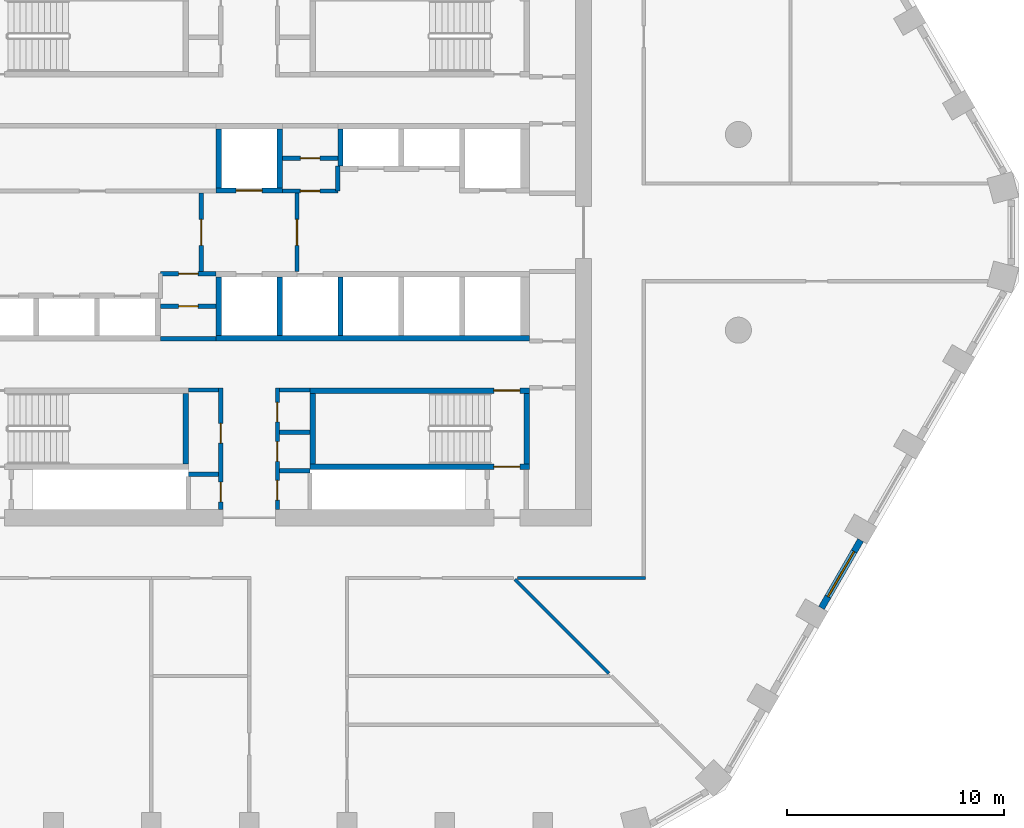
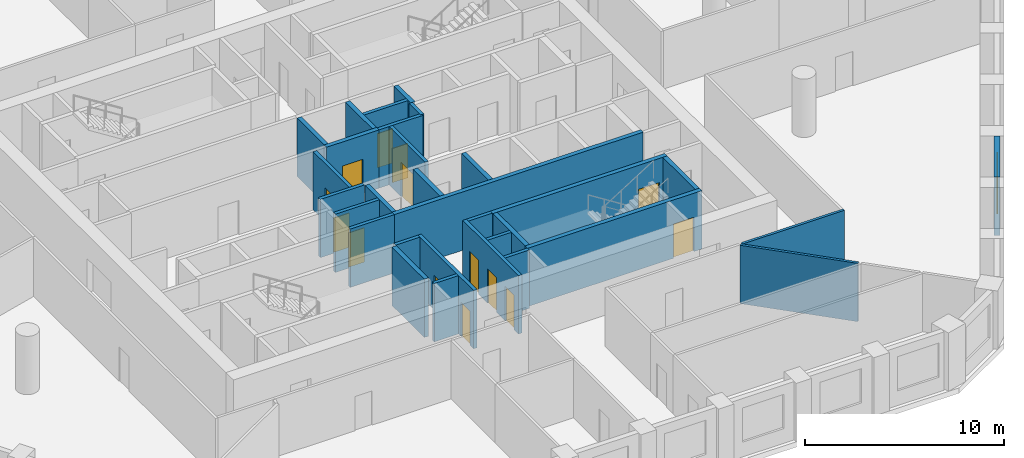
# One storey, part 4 of 9: 31 walls, 14 doors, 1 window, 15 openings.
"""IFC4 building model written with IfcOpenShell, lengths in metres."""

import ifcopenshell
import ifcopenshell.guid

model = None  # the IFC model being written
_history = None  # IfcOwnerHistory: only IFC2X3 demands one
_inside = {}  # id of a spatial element -> (the spatial element, [elements in it])
_under = {}  # id of a project, library or spatial element -> (it, [spatial elements below it])
_declared = {}  # id of a project -> (the project, [libraries it declares])
_typed = {}  # id of a type object -> (the type object, [elements of that type])
_made_of = {}  # id of a material, layer set ... -> (it, [elements and type objects made of it])


def new_model(schema):
    """Start an empty IFC model of exactly this schema.

    Asked for "IFC4X3", IfcOpenShell would pick the latest addendum, in which some entities
    have other attributes; the version numbers below select the first issue.
    IFC2X3 requires an IfcOwnerHistory on every rooted entity: one is made here for all.
    """
    global model, _history
    if schema == "IFC4X3":
        model = ifcopenshell.file(schema_version=(4, 3, 0, 0))
    else:
        model = ifcopenshell.file(schema=schema)
    _inside.clear()
    _under.clear()
    _declared.clear()
    _typed.clear()
    _made_of.clear()
    _history = None
    if model.schema == "IFC2X3":
        org = make("IfcOrganization", Name="unknown")
        user = make(
            "IfcPersonAndOrganization",
            ThePerson=make("IfcPerson", FamilyName="unknown"),
            TheOrganization=org,
        )
        app = make(
            "IfcApplication",
            ApplicationDeveloper=org,
            Version="unknown",
            ApplicationFullName="unknown",
            ApplicationIdentifier="unknown",
        )
        _history = make(
            "IfcOwnerHistory",
            OwningUser=user,
            OwningApplication=app,
            ChangeAction="ADDED",
            CreationDate=0,
        )
    return model


def make(cls, **values):
    """One entity of the class cls with the attributes given. An attribute that is None is left unset."""
    return model.create_entity(
        cls, **{name: value for name, value in values.items() if value is not None}
    )


def rooted(cls, **values):
    """An entity with a GlobalId (a new one), such as an element, a storey or a relation."""
    return make(cls, GlobalId=ifcopenshell.guid.new(), OwnerHistory=_history, **values)


def si_unit(unit_type, name, prefix=None):
    """IfcSIUnit, for example si_unit("LENGTHUNIT", "METRE", prefix="MILLI")."""
    return make("IfcSIUnit", UnitType=unit_type, Prefix=prefix, Name=name)


def assignment(units):
    """IfcUnitAssignment: the units of a project."""
    return None if units is None else make("IfcUnitAssignment", Units=units)


def point(xyz):
    """IfcCartesianPoint."""
    return None if xyz is None else make("IfcCartesianPoint", Coordinates=xyz)


def direction(xyz):
    """IfcDirection."""
    return None if xyz is None else make("IfcDirection", DirectionRatios=xyz)


def frame(location, z_axis=None, x_axis=None):
    """IfcAxis2Placement3D, a coordinate frame: its origin and axes. An axis left out is left unset."""
    return make(
        "IfcAxis2Placement3D",
        Location=point(location),
        Axis=direction(z_axis),
        RefDirection=direction(x_axis),
    )


def frame_2d(location, x_axis=None):
    """IfcAxis2Placement2D, a coordinate frame in the plane: its origin and x axis."""
    return make(
        "IfcAxis2Placement2D", Location=point(location), RefDirection=direction(x_axis)
    )


def origin():
    """The frame at (0, 0, 0) with its axes left unset."""
    return frame((0.0, 0.0, 0.0))


def place(relative_to, where):
    """IfcLocalPlacement: puts the frame where relative to a parent placement (None: the world)."""
    return make(
        "IfcLocalPlacement", PlacementRelTo=relative_to, RelativePlacement=where
    )


def context(
    kind, dimensions, precision=None, world=None, true_north=None, identifier=None
):
    """IfcGeometricRepresentationContext, for example the 3D "Model" context."""
    return make(
        "IfcGeometricRepresentationContext",
        ContextIdentifier=identifier,
        ContextType=kind,
        CoordinateSpaceDimension=dimensions,
        Precision=precision,
        WorldCoordinateSystem=world,
        TrueNorth=true_north,
    )


def subcontext(parent, identifier, kind, view, scale=None):
    """IfcGeometricRepresentationSubContext, for example "Body" below "Model"."""
    return make(
        "IfcGeometricRepresentationSubContext",
        ContextIdentifier=identifier,
        ContextType=kind,
        ParentContext=parent,
        TargetScale=scale,
        TargetView=view,
    )


def project(units=None, contexts=None):
    """IfcProject with its units and contexts."""
    return rooted(
        "IfcProject",
        Name="project",
        RepresentationContexts=contexts,
        UnitsInContext=assignment(units),
    )


def spatial(cls, under=None, at=None, **own):
    """A site, building, storey or space (cls), placed at a placement, below another one or the project."""
    s = rooted(cls, ObjectPlacement=at, **own)
    if under is not None:
        _under.setdefault(under.id(), (under, []))[1].append(s)
    return s


def polyline(points):
    """IfcPolyline through the points."""
    return make("IfcPolyline", Points=[point(p) for p in points])


def profile(cls, at=None, kind="AREA", **sizes):
    """A parametric profile (cls). Its sizes go by their IFC names, for example OverallWidth=200.0."""
    return make(cls, ProfileType=kind, Position=at, **sizes)


def rectangle(**sizes):
    """IfcRectangleProfileDef."""
    return profile("IfcRectangleProfileDef", **sizes)


def outline(outer, holes=None, kind="AREA"):
    """IfcArbitraryClosedProfileDef: a profile drawn as a closed curve; with holes, ...WithVoids."""
    if holes is None:
        return make("IfcArbitraryClosedProfileDef", ProfileType=kind, OuterCurve=outer)
    return make(
        "IfcArbitraryProfileDefWithVoids",
        ProfileType=kind,
        OuterCurve=outer,
        InnerCurves=holes,
    )


def extrude(swept, where, along, depth):
    """IfcExtrudedAreaSolid: the profile swept, set in the frame where, extruded along a direction by depth."""
    return make(
        "IfcExtrudedAreaSolid",
        SweptArea=swept,
        Position=where,
        ExtrudedDirection=direction(along),
        Depth=depth,
    )


def shape(context_of_items, identifier, shape_type, items):
    """IfcShapeRepresentation: the items that make up one representation, for example the "Body"."""
    return make(
        "IfcShapeRepresentation",
        ContextOfItems=context_of_items,
        RepresentationIdentifier=identifier,
        RepresentationType=shape_type,
        Items=items,
    )


def material(Name=None, Category=None):
    """IfcMaterial."""
    return make("IfcMaterial", Name=Name, Category=Category)


def layer(
    of_material, thickness, ventilated=None, Name=None, Category=None, Priority=None
):
    """IfcMaterialLayer: one layer of a wall or slab, of a material (None: an air gap)."""
    return make(
        "IfcMaterialLayer",
        Material=of_material,
        LayerThickness=thickness,
        IsVentilated=ventilated,
        Name=Name,
        Category=Category,
        Priority=Priority,
    )


def layer_set(layers, Name=None):
    """IfcMaterialLayerSet."""
    return make("IfcMaterialLayerSet", MaterialLayers=layers, LayerSetName=Name)


def made_of(thing, what):
    """Note that an element or type object is made of a material, layer set ...; save() writes the relation."""
    if what is not None:
        _made_of.setdefault(what.id(), (what, []))[1].append(thing)
    return thing


def type_object(cls, material=None, **own):
    """A type object (cls), such as IfcWallType, which elements share."""
    return made_of(rooted(cls, **own), material)


def element(
    cls,
    number,
    at=None,
    inside=None,
    cuts=None,
    type_object=None,
    material=None,
    context=None,
    identifier="Body",
    shape_type=None,
    held_by="IfcProductDefinitionShape",
    body=None,
    shapes=None,
    **own,
):
    """One element of the class cls, such as IfcWall. Its Tag is "e" and its number.

    at: its placement. inside: the storey or other place that contains it. cuts: it is an
    opening in that element (IfcRelVoidsElement). A single representation is given by context,
    identifier, shape_type and body (its items); several are given by shapes. held_by: the class
    of the entity that holds the representations. save() writes the other relations.
    """
    e = rooted(cls, Tag="e%d" % number, ObjectPlacement=at, **own)
    if body is not None:
        shapes = [shape(context, identifier, shape_type, body)]
    if shapes is not None:
        e.Representation = make(held_by, Representations=shapes)
    if inside is not None:
        _inside.setdefault(inside.id(), (inside, []))[1].append(e)
    if cuts is not None:
        rooted(
            "IfcRelVoidsElement", RelatingBuildingElement=cuts, RelatedOpeningElement=e
        )
    if type_object is not None:
        _typed.setdefault(type_object.id(), (type_object, []))[1].append(e)
    return made_of(e, material)


def fill(opening, filler):
    """IfcRelFillsElement: the door or window that sits in an opening."""
    return rooted(
        "IfcRelFillsElement",
        RelatingOpeningElement=opening,
        RelatedBuildingElement=filler,
    )


def aggregate(whole, parts):
    """IfcRelAggregates: a whole, such as a stair, and the parts it consists of."""
    return rooted("IfcRelAggregates", RelatingObject=whole, RelatedObjects=parts)


def save(model, path):
    """Write the relations noted so far, then the file.

    IfcRelAggregates (storeys below a building ...), IfcRelContainedInSpatialStructure (elements
    in a storey), IfcRelDefinesByType, IfcRelAssociatesMaterial and IfcRelDeclares: one each for
    every whole, place, type object, material and project.
    """
    for whole, parts in _under.values():
        aggregate(whole, parts)
    for where, things in _inside.values():
        rooted(
            "IfcRelContainedInSpatialStructure",
            RelatedElements=things,
            RelatingStructure=where,
        )
    for kind, things in _typed.values():
        rooted("IfcRelDefinesByType", RelatedObjects=things, RelatingType=kind)
    for what, things in _made_of.values():
        rooted("IfcRelAssociatesMaterial", RelatedObjects=things, RelatingMaterial=what)
    for by, libraries in _declared.values():
        rooted("IfcRelDeclares", RelatingContext=by, RelatedDefinitions=libraries)
    model.write(path)


model = new_model("IFC4")

# Units and contexts
model_context = context("Model", 3, precision=1e-05, world=origin(), true_north=direction((0.0, 1.0)))
body_context = subcontext(model_context, "Body", "Model", "MODEL_VIEW")
ifc_project = project(units=[si_unit("LENGTHUNIT", "METRE"), si_unit("AREAUNIT", "SQUARE_METRE"), si_unit("VOLUMEUNIT", "CUBIC_METRE"), si_unit("PLANEANGLEUNIT", "RADIAN"), si_unit("MASSUNIT", "GRAM", prefix="KILO")], contexts=[model_context])

# Site, building, storey
site_placement = place(None, origin())
site = spatial("IfcSite", under=ifc_project, at=site_placement, CompositionType="ELEMENT")
building_placement = place(site_placement, origin())
building = spatial("IfcBuilding", under=site, at=building_placement, Name="Dhurran Vertical Campus", CompositionType="ELEMENT")
storey_placement = place(building_placement, frame((0.0, 0.0, 167.699951171875)))
storey = spatial("IfcBuildingStorey", under=building, at=storey_placement, Name="L41", CompositionType="ELEMENT", Elevation=167.699951171875)

# Wall, opening, window
ifc_material_1 = material(Name="Precast concrete C50/60", Category="concrete")
ifc_layer_1 = layer(ifc_material_1, 0.300048828125)
ifc_layer_set_1 = layer_set([ifc_layer_1], Name="Precast concrete C50/60")
wall_type_1 = type_object("IfcWallType", Name="Precast spandrel wall 300", PredefinedType="SOLIDWALL", material=ifc_layer_set_1)
wall_1_placement = place(storey_placement, frame((26.3193359375, -17.273193359375, 0.0), z_axis=(0.0, 0.0, 1.0), x_axis=(0.500027802648, 0.866009351323, 0.0)))
wall_1 = element("IfcWall", 1, at=wall_1_placement, inside=storey, type_object=wall_type_1, Name="EW1 L41.11", PredefinedType="SOLIDWALL", context=body_context, shape_type="SweptSolid", body=[
    extrude(rectangle(XDim=3.598876953125, YDim=0.300048828125, at=frame_2d((1.79931640625, 0.0))), origin(), (0.0, 0.0, 1.0), 3.574951171875),
])
opening_1_placement = place(wall_1_placement, frame((0.599609375, 0.0, 0.89990234375)))
opening_1 = element("IfcOpeningElement", 2, at=opening_1_placement, cuts=wall_1, Name="Opening WT1", PredefinedType="OPENING", context=body_context, shape_type="SweptSolid", body=[
    extrude(rectangle(XDim=2.39990234375, YDim=2.10009765625, at=frame_2d((1.199951171875, 1.050048828125))), frame((0.0, 0.159912109375, 0.0), z_axis=(0.0, -1.0, 0.0), x_axis=(1.0, 0.0, 0.0)), (0.0, 0.0, 1.0), 0.320068359375),
])
ifc_material_2 = material(Name="Aluminium frame with solar-control glass", Category="aluminium")
window_type = type_object("IfcWindowType", Name="Punched window 2400 x 2100", PartitioningType="SINGLE_PANEL", PredefinedType="WINDOW", material=ifc_material_2)
window_placement = place(opening_1_placement, origin())
window = element("IfcWindow", 3, at=window_placement, inside=storey, type_object=window_type, Name="WT1 L41.11", OverallHeight=2.10009765625, OverallWidth=2.39990234375, PartitioningType="SINGLE_PANEL", PredefinedType="WINDOW", context=body_context, shape_type="SweptSolid", body=[
    extrude(rectangle(XDim=2.39990234375, YDim=2.10009765625, at=frame_2d((1.199951171875, 1.050048828125))), frame((0.0, 0.030029296875, 0.0), z_axis=(0.0, -1.0, 0.0), x_axis=(1.0, 0.0, 0.0)), (0.0, 0.0, 1.0), 0.06005859375),
])
fill(opening_1, window)

# Wall, opening, door
ifc_material_3 = material(Name="Fire-rated masonry blockwork", Category="masonry")
ifc_layer_2 = layer(ifc_material_3, 0.199951171875)
ifc_layer_set_2 = layer_set([ifc_layer_2], Name="Fire-rated masonry blockwork")
wall_type_2 = type_object("IfcWallType", Name="co-FIRE-PARTITION-200", PredefinedType="PARTITIONING", material=ifc_layer_set_2)
wall_2_placement = place(storey_placement, frame((-2.199951171875, -1.800048828125, 0.0), z_axis=(0.0, 0.0, 1.0), x_axis=(0.0, 1.0, 0.0)))
wall_2 = element("IfcWall", 4, at=wall_2_placement, inside=storey, type_object=wall_type_2, Name="Firefighting lobby wall W L41", PredefinedType="PARTITIONING", context=body_context, shape_type="SweptSolid", body=[
    extrude(rectangle(XDim=3.60009765625, YDim=0.199951171875, at=frame_2d((1.800048828125, 0.0))), origin(), (0.0, 0.0, 1.0), 3.574951171875),
])
opening_2_placement = place(wall_2_placement, frame((1.199951171875, 0.0, 0.0)))
opening_2 = element("IfcOpeningElement", 5, at=opening_2_placement, cuts=wall_2, Name="Opening FL1", PredefinedType="OPENING", context=body_context, shape_type="SweptSolid", body=[
    extrude(rectangle(XDim=1.199951171875, YDim=2.10009765625, at=frame_2d((0.60009765625, 1.050048828125))), frame((0.0, 0.10986328125, 0.0), z_axis=(0.0, -1.0, 0.0), x_axis=(1.0, 0.0, 0.0)), (0.0, 0.0, 1.0), 0.219970703125),
])
ifc_material_4 = material(Name="Fire-rated steel door set", Category="steel")
door_type_1 = type_object("IfcDoorType", Name="co-D-FFLOBBY 1200x2100", OperationType="SINGLE_SWING_LEFT", PredefinedType="DOOR", material=ifc_material_4)
door_1_placement = place(opening_2_placement, origin())
door_1 = element("IfcDoor", 6, at=door_1_placement, inside=storey, type_object=door_type_1, Name="Firefighting lobby door W L41", OperationType="SINGLE_SWING_LEFT", OverallHeight=2.10009765625, OverallWidth=1.199951171875, PredefinedType="DOOR", context=body_context, shape_type="SweptSolid", body=[
    extrude(rectangle(XDim=1.199951171875, YDim=2.10009765625, at=frame_2d((0.60009765625, 1.050048828125))), frame((0.0, 0.02490234375, 0.0), z_axis=(0.0, -1.0, 0.0), x_axis=(1.0, 0.0, 0.0)), (0.0, 0.0, 1.0), 0.050048828125),
])
fill(opening_2, door_1)

wall_3_placement = place(storey_placement, frame((2.199951171875, -1.800048828125, 0.0), z_axis=(0.0, 0.0, 1.0), x_axis=(0.0, 1.0, 0.0)))
wall_3 = element("IfcWall", 7, at=wall_3_placement, inside=storey, type_object=wall_type_2, Name="Firefighting lobby wall E L41", PredefinedType="PARTITIONING", context=body_context, shape_type="SweptSolid", body=[
    extrude(rectangle(XDim=3.60009765625, YDim=0.199951171875, at=frame_2d((1.800048828125, 0.0))), origin(), (0.0, 0.0, 1.0), 3.574951171875),
])
opening_3_placement = place(wall_3_placement, frame((1.199951171875, 0.0, 0.0)))
opening_3 = element("IfcOpeningElement", 8, at=opening_3_placement, cuts=wall_3, Name="Opening FL2", PredefinedType="OPENING", context=body_context, shape_type="SweptSolid", body=[
    extrude(rectangle(XDim=1.199951171875, YDim=2.10009765625, at=frame_2d((0.60009765625, 1.050048828125))), frame((0.0, 0.10986328125, 0.0), z_axis=(0.0, -1.0, 0.0), x_axis=(1.0, 0.0, 0.0)), (0.0, 0.0, 1.0), 0.219970703125),
])
door_2_placement = place(opening_3_placement, origin())
door_2 = element("IfcDoor", 9, at=door_2_placement, inside=storey, type_object=door_type_1, Name="Firefighting lobby door E L41", OperationType="SINGLE_SWING_LEFT", OverallHeight=2.10009765625, OverallWidth=1.199951171875, PredefinedType="DOOR", context=body_context, shape_type="SweptSolid", body=[
    extrude(rectangle(XDim=1.199951171875, YDim=2.10009765625, at=frame_2d((0.60009765625, 1.050048828125))), frame((0.0, 0.02490234375, 0.0), z_axis=(0.0, -1.0, 0.0), x_axis=(1.0, 0.0, 0.0)), (0.0, 0.0, 1.0), 0.050048828125),
])
fill(opening_3, door_2)

# Walls
for number, where, z_axis, x_axis, name in (
    (10, (-2.800048828125, -7.25, 0.0), (0.0, 0.0, 1.0), (1.0, 0.0, 0.0), "Core partition sl-SW-S L41"),
    (11, (-2.800048828125, -11.1298828125, 0.0), (0.0, 0.0, 1.0), (1.0, 0.0, 0.0), "Core partition sl-SW-cut0 L41"),
    (12, (1.39990234375, -7.25, 0.0), (0.0, 0.0, 1.0), (1.0, 0.0, 0.0), "Core partition sl-SE-S L41"),
    (13, (1.39990234375, -9.18603515625, 0.0), (0.0, 0.0, 1.0), (1.0, 0.0, 0.0), "Core partition sl-SE-cut0 L41"),
    (14, (1.39990234375, -10.968017578125, 0.0), (0.0, 0.0, 1.0), (1.0, 0.0, 0.0), "Core partition sl-SE-cut1 L41"),
):
    element("IfcWall", number, at=place(storey_placement, frame(where, z_axis=z_axis, x_axis=x_axis)), inside=storey, type_object=wall_type_2, Name=name, PredefinedType="PARTITIONING", context=body_context, shape_type="SweptSolid", body=[
        extrude(rectangle(XDim=1.400146484375, YDim=0.199951171875, at=frame_2d((0.7001953125, 0.0))), origin(), (0.0, 0.0, 1.0), 3.574951171875),
    ])

# Wall, openings, doors
wall_4_placement = place(storey_placement, frame((-1.300048828125, -12.75, 0.0), z_axis=(0.0, 0.0, 1.0), x_axis=(0.0, 1.0, 0.0)))
wall_4 = element("IfcWall", 15, at=wall_4_placement, inside=storey, type_object=wall_type_2, Name="Core partition vest-SW L41", PredefinedType="PARTITIONING", context=body_context, shape_type="SweptSolid", body=[
    extrude(rectangle(XDim=5.60009765625, YDim=0.199951171875, at=frame_2d((2.800048828125, 0.0))), origin(), (0.0, 0.0, 1.0), 3.574951171875),
])
opening_4_placement = place(wall_4_placement, frame((0.360107421875, 0.0, 0.0)))
opening_4 = element("IfcOpeningElement", 16, at=opening_4_placement, cuts=wall_4, Name="Opening T12-C1", PredefinedType="OPENING", context=body_context, shape_type="SweptSolid", body=[
    extrude(rectangle(XDim=0.89990234375, YDim=2.10009765625, at=frame_2d((0.449951171875, 1.050048828125))), frame((0.0, 0.10986328125, 0.0), z_axis=(0.0, -1.0, 0.0), x_axis=(1.0, 0.0, 0.0)), (0.0, 0.0, 1.0), 0.219970703125),
])
opening_5_placement = place(wall_4_placement, frame((3.06005859375, 0.0, 0.0)))
opening_5 = element("IfcOpeningElement", 17, at=opening_5_placement, cuts=wall_4, Name="Opening T12-C2", PredefinedType="OPENING", context=body_context, shape_type="SweptSolid", body=[
    extrude(rectangle(XDim=0.89990234375, YDim=2.10009765625, at=frame_2d((0.449951171875, 1.050048828125))), frame((0.0, 0.10986328125, 0.0), z_axis=(0.0, -1.0, 0.0), x_axis=(1.0, 0.0, 0.0)), (0.0, 0.0, 1.0), 0.219970703125),
])
ifc_material_5 = material(Name="Fire-rated timber door set", Category="wood")
door_type_2 = type_object("IfcDoorType", Name="co-D-ROOM 900x2100", OperationType="SINGLE_SWING_LEFT", PredefinedType="DOOR", material=ifc_material_5)
door_3_placement = place(opening_4_placement, origin())
door_3 = element("IfcDoor", 18, at=door_3_placement, inside=storey, type_object=door_type_2, Name="Print room door L41", OperationType="SINGLE_SWING_LEFT", OverallHeight=2.10009765625, OverallWidth=0.89990234375, PredefinedType="DOOR", context=body_context, shape_type="SweptSolid", body=[
    extrude(rectangle(XDim=0.89990234375, YDim=2.10009765625, at=frame_2d((0.449951171875, 1.050048828125))), frame((0.0, 0.02490234375, 0.0), z_axis=(0.0, -1.0, 0.0), x_axis=(1.0, 0.0, 0.0)), (0.0, 0.0, 1.0), 0.050048828125),
])
fill(opening_4, door_3)
door_4_placement = place(opening_5_placement, origin())
door_4 = element("IfcDoor", 19, at=door_4_placement, inside=storey, type_object=door_type_2, Name="Communications room door L41", OperationType="SINGLE_SWING_LEFT", OverallHeight=2.10009765625, OverallWidth=0.89990234375, PredefinedType="DOOR", context=body_context, shape_type="SweptSolid", body=[
    extrude(rectangle(XDim=0.89990234375, YDim=2.10009765625, at=frame_2d((0.449951171875, 1.050048828125))), frame((0.0, 0.02490234375, 0.0), z_axis=(0.0, -1.0, 0.0), x_axis=(1.0, 0.0, 0.0)), (0.0, 0.0, 1.0), 0.050048828125),
])
fill(opening_5, door_4)

wall_5_placement = place(storey_placement, frame((1.300048828125, -12.75, 0.0), z_axis=(0.0, 0.0, 1.0), x_axis=(0.0, 1.0, 0.0)))
wall_5 = element("IfcWall", 20, at=wall_5_placement, inside=storey, type_object=wall_type_2, Name="Core partition vest-SE L41", PredefinedType="PARTITIONING", context=body_context, shape_type="SweptSolid", body=[
    extrude(rectangle(XDim=5.60009765625, YDim=0.199951171875, at=frame_2d((2.800048828125, 0.0))), origin(), (0.0, 0.0, 1.0), 3.574951171875),
])
opening_6_placement = place(wall_5_placement, frame((0.44091796875, 0.0, 0.0)))
opening_6 = element("IfcOpeningElement", 21, at=opening_6_placement, cuts=wall_5, Name="Opening T12-C3", PredefinedType="OPENING", context=body_context, shape_type="SweptSolid", body=[
    extrude(rectangle(XDim=0.89990234375, YDim=2.10009765625, at=frame_2d((0.449951171875, 1.050048828125))), frame((0.0, 0.10986328125, 0.0), z_axis=(0.0, -1.0, 0.0), x_axis=(1.0, 0.0, 0.0)), (0.0, 0.0, 1.0), 0.219970703125),
])
opening_7_placement = place(wall_5_placement, frame((2.222900390625, 0.0, 0.0)))
opening_7 = element("IfcOpeningElement", 22, at=opening_7_placement, cuts=wall_5, Name="Opening T12-C4", PredefinedType="OPENING", context=body_context, shape_type="SweptSolid", body=[
    extrude(rectangle(XDim=0.89990234375, YDim=2.10009765625, at=frame_2d((0.449951171875, 1.050048828125))), frame((0.0, 0.10986328125, 0.0), z_axis=(0.0, -1.0, 0.0), x_axis=(1.0, 0.0, 0.0)), (0.0, 0.0, 1.0), 0.219970703125),
])
opening_8_placement = place(wall_5_placement, frame((4.031982421875, 0.0, 0.0)))
opening_8 = element("IfcOpeningElement", 23, at=opening_8_placement, cuts=wall_5, Name="Opening T12-C5", PredefinedType="OPENING", context=body_context, shape_type="SweptSolid", body=[
    extrude(rectangle(XDim=0.89990234375, YDim=2.10009765625, at=frame_2d((0.449951171875, 1.050048828125))), frame((0.0, 0.10986328125, 0.0), z_axis=(0.0, -1.0, 0.0), x_axis=(1.0, 0.0, 0.0)), (0.0, 0.0, 1.0), 0.219970703125),
])
door_5_placement = place(opening_6_placement, origin())
door_5 = element("IfcDoor", 24, at=door_5_placement, inside=storey, type_object=door_type_2, Name="Electrical riser door L41", OperationType="SINGLE_SWING_LEFT", OverallHeight=2.10009765625, OverallWidth=0.89990234375, PredefinedType="DOOR", context=body_context, shape_type="SweptSolid", body=[
    extrude(rectangle(XDim=0.89990234375, YDim=2.10009765625, at=frame_2d((0.449951171875, 1.050048828125))), frame((0.0, 0.02490234375, 0.0), z_axis=(0.0, -1.0, 0.0), x_axis=(1.0, 0.0, 0.0)), (0.0, 0.0, 1.0), 0.050048828125),
])
fill(opening_6, door_5)
door_6_placement = place(opening_7_placement, origin())
door_6 = element("IfcDoor", 25, at=door_6_placement, inside=storey, type_object=door_type_2, Name="Fire equipment store door L41", OperationType="SINGLE_SWING_LEFT", OverallHeight=2.10009765625, OverallWidth=0.89990234375, PredefinedType="DOOR", context=body_context, shape_type="SweptSolid", body=[
    extrude(rectangle(XDim=0.89990234375, YDim=2.10009765625, at=frame_2d((0.449951171875, 1.050048828125))), frame((0.0, 0.02490234375, 0.0), z_axis=(0.0, -1.0, 0.0), x_axis=(1.0, 0.0, 0.0)), (0.0, 0.0, 1.0), 0.050048828125),
])
fill(opening_7, door_6)
door_7_placement = place(opening_8_placement, origin())
door_7 = element("IfcDoor", 26, at=door_7_placement, inside=storey, type_object=door_type_2, Name="Cleaner's store door L41", OperationType="SINGLE_SWING_LEFT", OverallHeight=2.10009765625, OverallWidth=0.89990234375, PredefinedType="DOOR", context=body_context, shape_type="SweptSolid", body=[
    extrude(rectangle(XDim=0.89990234375, YDim=2.10009765625, at=frame_2d((0.449951171875, 1.050048828125))), frame((0.0, 0.02490234375, 0.0), z_axis=(0.0, -1.0, 0.0), x_axis=(1.0, 0.0, 0.0)), (0.0, 0.0, 1.0), 0.050048828125),
])
fill(opening_8, door_7)

# Wall, opening, door
wall_6_placement = place(storey_placement, frame((1.52490234375, 3.39990234375, 0.0), z_axis=(0.0, 0.0, 1.0), x_axis=(1.0, 0.0, 0.0)))
wall_6 = element("IfcWall", 27, at=wall_6_placement, inside=storey, type_object=wall_type_2, Name="Core partition fr-N1-c L41", PredefinedType="PARTITIONING", context=body_context, shape_type="SweptSolid", body=[
    extrude(rectangle(XDim=2.550048828125, YDim=0.199951171875, at=frame_2d((1.27490234375, 0.0))), origin(), (0.0, 0.0, 1.0), 3.574951171875),
])
opening_9_placement = place(wall_6_placement, frame((0.824951171875, 0.0, 0.0)))
opening_9 = element("IfcOpeningElement", 28, at=opening_9_placement, cuts=wall_6, Name="Opening T12-C23", PredefinedType="OPENING", context=body_context, shape_type="SweptSolid", body=[
    extrude(rectangle(XDim=0.89990234375, YDim=2.10009765625, at=frame_2d((0.449951171875, 1.050048828125))), frame((0.0, 0.10986328125, 0.0), z_axis=(0.0, -1.0, 0.0), x_axis=(1.0, 0.0, 0.0)), (0.0, 0.0, 1.0), 0.219970703125),
])
door_8_placement = place(opening_9_placement, origin())
door_8 = element("IfcDoor", 29, at=door_8_placement, inside=storey, type_object=door_type_2, Name="Housekeeping store door L41", OperationType="SINGLE_SWING_LEFT", OverallHeight=2.10009765625, OverallWidth=0.89990234375, PredefinedType="DOOR", context=body_context, shape_type="SweptSolid", body=[
    extrude(rectangle(XDim=0.89990234375, YDim=2.10009765625, at=frame_2d((0.449951171875, 1.050048828125))), frame((0.0, 0.02490234375, 0.0), z_axis=(0.0, -1.0, 0.0), x_axis=(1.0, 0.0, 0.0)), (0.0, 0.0, 1.0), 0.050048828125),
])
fill(opening_9, door_8)

wall_7_placement = place(storey_placement, frame((1.52490234375, 1.89990234375, 0.0), z_axis=(0.0, 0.0, 1.0), x_axis=(1.0, 0.0, 0.0)))
wall_7 = element("IfcWall", 30, at=wall_7_placement, inside=storey, type_object=wall_type_2, Name="Core partition fr-N1-f L41", PredefinedType="PARTITIONING", context=body_context, shape_type="SweptSolid", body=[
    extrude(rectangle(XDim=2.550048828125, YDim=0.199951171875, at=frame_2d((1.27490234375, 0.0))), origin(), (0.0, 0.0, 1.0), 3.574951171875),
])
opening_10_placement = place(wall_7_placement, frame((0.824951171875, 0.0, 0.0)))
opening_10 = element("IfcOpeningElement", 31, at=opening_10_placement, cuts=wall_7, Name="Opening T12-C24", PredefinedType="OPENING", context=body_context, shape_type="SweptSolid", body=[
    extrude(rectangle(XDim=0.89990234375, YDim=2.10009765625, at=frame_2d((0.449951171875, 1.050048828125))), frame((0.0, 0.10986328125, 0.0), z_axis=(0.0, -1.0, 0.0), x_axis=(1.0, 0.0, 0.0)), (0.0, 0.0, 1.0), 0.219970703125),
])
door_9_placement = place(opening_10_placement, origin())
door_9 = element("IfcDoor", 32, at=door_9_placement, inside=storey, type_object=door_type_2, Name="Cleaner's store door L41", OperationType="SINGLE_SWING_LEFT", OverallHeight=2.10009765625, OverallWidth=0.89990234375, PredefinedType="DOOR", context=body_context, shape_type="SweptSolid", body=[
    extrude(rectangle(XDim=0.89990234375, YDim=2.10009765625, at=frame_2d((0.449951171875, 1.050048828125))), frame((0.0, 0.02490234375, 0.0), z_axis=(0.0, -1.0, 0.0), x_axis=(1.0, 0.0, 0.0)), (0.0, 0.0, 1.0), 0.050048828125),
])
fill(opening_10, door_9)

# Wall
wall_8_placement = place(storey_placement, frame((4.074951171875, 1.89990234375, 0.0), z_axis=(0.0, 0.0, 1.0), x_axis=(0.0, 1.0, 0.0)))
element("IfcWall", 33, at=wall_8_placement, inside=storey, type_object=wall_type_2, Name="Core partition fr-N1-n1 L41", PredefinedType="PARTITIONING", context=body_context, shape_type="SweptSolid", body=[
    extrude(rectangle(XDim=1.150146484375, YDim=0.199951171875, at=frame_2d((0.5751953125, 0.0))), origin(), (0.0, 0.0, 1.0), 3.574951171875),
])

# Wall, opening, door
wall_9_placement = place(storey_placement, frame((-4.074951171875, -3.39990234375, 0.0), z_axis=(0.0, 0.0, 1.0), x_axis=(1.0, 0.0, 0.0)))
wall_9 = element("IfcWall", 34, at=wall_9_placement, inside=storey, type_object=wall_type_2, Name="Core partition fr-S0-c L41", PredefinedType="PARTITIONING", context=body_context, shape_type="SweptSolid", body=[
    extrude(rectangle(XDim=2.550048828125, YDim=0.199951171875, at=frame_2d((1.27490234375, 0.0))), origin(), (0.0, 0.0, 1.0), 3.574951171875),
])
opening_11_placement = place(wall_9_placement, frame((0.824951171875, 0.0, 0.0)))
opening_11 = element("IfcOpeningElement", 35, at=opening_11_placement, cuts=wall_9, Name="Opening T12-C25", PredefinedType="OPENING", context=body_context, shape_type="SweptSolid", body=[
    extrude(rectangle(XDim=0.89990234375, YDim=2.10009765625, at=frame_2d((0.449951171875, 1.050048828125))), frame((0.0, 0.10986328125, 0.0), z_axis=(0.0, -1.0, 0.0), x_axis=(1.0, 0.0, 0.0)), (0.0, 0.0, 1.0), 0.219970703125),
])
door_10_placement = place(opening_11_placement, origin())
door_10 = element("IfcDoor", 36, at=door_10_placement, inside=storey, type_object=door_type_2, Name="Server room door L41", OperationType="SINGLE_SWING_LEFT", OverallHeight=2.10009765625, OverallWidth=0.89990234375, PredefinedType="DOOR", context=body_context, shape_type="SweptSolid", body=[
    extrude(rectangle(XDim=0.89990234375, YDim=2.10009765625, at=frame_2d((0.449951171875, 1.050048828125))), frame((0.0, 0.02490234375, 0.0), z_axis=(0.0, -1.0, 0.0), x_axis=(1.0, 0.0, 0.0)), (0.0, 0.0, 1.0), 0.050048828125),
])
fill(opening_11, door_10)

wall_10_placement = place(storey_placement, frame((-4.074951171875, -1.89990234375, 0.0), z_axis=(0.0, 0.0, 1.0), x_axis=(1.0, 0.0, 0.0)))
wall_10 = element("IfcWall", 37, at=wall_10_placement, inside=storey, type_object=wall_type_2, Name="Core partition fr-S0-f L41", PredefinedType="PARTITIONING", context=body_context, shape_type="SweptSolid", body=[
    extrude(rectangle(XDim=2.550048828125, YDim=0.199951171875, at=frame_2d((1.27490234375, 0.0))), origin(), (0.0, 0.0, 1.0), 3.574951171875),
])
opening_12_placement = place(wall_10_placement, frame((0.824951171875, 0.0, 0.0)))
opening_12 = element("IfcOpeningElement", 38, at=opening_12_placement, cuts=wall_10, Name="Opening T12-C26", PredefinedType="OPENING", context=body_context, shape_type="SweptSolid", body=[
    extrude(rectangle(XDim=0.89990234375, YDim=2.10009765625, at=frame_2d((0.449951171875, 1.050048828125))), frame((0.0, 0.10986328125, 0.0), z_axis=(0.0, -1.0, 0.0), x_axis=(1.0, 0.0, 0.0)), (0.0, 0.0, 1.0), 0.219970703125),
])
door_11_placement = place(opening_12_placement, origin())
door_11 = element("IfcDoor", 39, at=door_11_placement, inside=storey, type_object=door_type_2, Name="Store door L41", OperationType="SINGLE_SWING_LEFT", OverallHeight=2.10009765625, OverallWidth=0.89990234375, PredefinedType="DOOR", context=body_context, shape_type="SweptSolid", body=[
    extrude(rectangle(XDim=0.89990234375, YDim=2.10009765625, at=frame_2d((0.449951171875, 1.050048828125))), frame((0.0, 0.02490234375, 0.0), z_axis=(0.0, -1.0, 0.0), x_axis=(1.0, 0.0, 0.0)), (0.0, 0.0, 1.0), 0.050048828125),
])
fill(opening_12, door_11)

# Wall
wall_11_placement = place(storey_placement, frame((-4.074951171875, -4.89990234375, 0.0), z_axis=(0.0, 0.0, 1.0), x_axis=(1.0, 0.0, 0.0)))
element("IfcWall", 40, at=wall_11_placement, inside=storey, type_object=wall_type_2, Name="Core partition fr-S0-b L41", PredefinedType="PARTITIONING", context=body_context, shape_type="SweptSolid", body=[
    extrude(rectangle(XDim=2.550048828125, YDim=0.199951171875, at=frame_2d((1.27490234375, 0.0))), origin(), (0.0, 0.0, 1.0), 3.574951171875),
])

# Wall, opening, door
ifc_material_6 = material(Name="Concrete C50/60", Category="concrete")
ifc_layer_3 = layer(ifc_material_6, 0.25)
ifc_layer_set_3 = layer_set([ifc_layer_3], Name="Concrete C50/60")
wall_type_3 = type_object("IfcWallType", Name="co-SHAFT-FRONT-250", PredefinedType="SHEAR", material=ifc_layer_set_3)
wall_12_placement = place(storey_placement, frame((-1.52490234375, 1.925048828125, 0.0), z_axis=(0.0, 0.0, 1.0), x_axis=(1.0, 0.0, 0.0)))
wall_12 = element("IfcWall", 41, at=wall_12_placement, inside=storey, type_object=wall_type_3, Name="Lift landing wall N L41", PredefinedType="SHEAR", context=body_context, shape_type="SweptSolid", body=[
    extrude(rectangle(XDim=3.0498046875, YDim=0.25, at=frame_2d((1.52490234375, 0.0))), origin(), (0.0, 0.0, 1.0), 3.574951171875),
])
opening_13_placement = place(wall_12_placement, frame((0.925048828125, 0.0, 0.0)))
opening_13 = element("IfcOpeningElement", 42, at=opening_13_placement, cuts=wall_12, Name="Opening LD", PredefinedType="OPENING", context=body_context, shape_type="SweptSolid", body=[
    extrude(rectangle(XDim=1.199951171875, YDim=2.10009765625, at=frame_2d((0.60009765625, 1.050048828125))), frame((0.0, 0.135009765625, 0.0), z_axis=(0.0, -1.0, 0.0), x_axis=(1.0, 0.0, 0.0)), (0.0, 0.0, 1.0), 0.27001953125),
])
ifc_material_7 = material(Name="Stainless steel landing door", Category="steel")
door_type_3 = type_object("IfcDoorType", Name="co-D-LANDING 1200x2100", OperationType="DOUBLE_DOOR_SLIDING", PredefinedType="DOOR", material=ifc_material_7)
door_12_placement = place(opening_13_placement, origin())
door_12 = element("IfcDoor", 43, at=door_12_placement, inside=storey, type_object=door_type_3, Name="Landing door FF1 L41", OperationType="DOUBLE_DOOR_SLIDING", OverallHeight=2.10009765625, OverallWidth=1.199951171875, PredefinedType="DOOR", context=body_context, shape_type="SweptSolid", body=[
    extrude(rectangle(XDim=1.199951171875, YDim=2.10009765625, at=frame_2d((0.60009765625, 1.050048828125))), frame((0.0, 0.02490234375, 0.0), z_axis=(0.0, -1.0, 0.0), x_axis=(1.0, 0.0, 0.0)), (0.0, 0.0, 1.0), 0.050048828125),
])
fill(opening_13, door_12)

# Walls
ifc_material_8 = material(Name="Concrete C50/60", Category="concrete")
ifc_layer_4 = layer(ifc_material_8, 0.25)
ifc_layer_set_4 = layer_set([ifc_layer_4], Name="Concrete C50/60")
wall_type_4 = type_object("IfcWallType", Name="co-SHAFT-MASS-250", PredefinedType="SHEAR", material=ifc_layer_set_4)
wall_13_placement = place(storey_placement, origin())
element("IfcWall", 44, at=wall_13_placement, inside=storey, type_object=wall_type_4, Name="Lift shaft wall N L41 3", PredefinedType="SHEAR", context=body_context, shape_type="SweptSolid", body=[
    extrude(outline(polyline([(-1.52490234375, 2.050048828125), (-1.27490234375, 2.050048828125), (-1.27490234375, 4.75), (-1.52490234375, 4.75), (-1.52490234375, 2.050048828125)])), origin(), (0.0, 0.0, 1.0), 3.574951171875),
])
wall_14_placement = place(storey_placement, origin())
element("IfcWall", 45, at=wall_14_placement, inside=storey, type_object=wall_type_4, Name="Lift shaft wall N L41 4", PredefinedType="SHEAR", context=body_context, shape_type="SweptSolid", body=[
    extrude(outline(polyline([(1.27490234375, 2.050048828125), (1.52490234375, 2.050048828125), (1.52490234375, 4.75), (1.27490234375, 4.75), (1.27490234375, 2.050048828125)])), origin(), (0.0, 0.0, 1.0), 3.574951171875),
])
wall_15_placement = place(storey_placement, origin())
element("IfcWall", 46, at=wall_15_placement, inside=storey, type_object=wall_type_4, Name="Lift shaft wall N L41 7", PredefinedType="SHEAR", context=body_context, shape_type="SweptSolid", body=[
    extrude(outline(polyline([(4.074951171875, 3.050048828125), (4.324951171875, 3.050048828125), (4.324951171875, 4.75), (4.074951171875, 4.75), (4.074951171875, 3.050048828125)])), origin(), (0.0, 0.0, 1.0), 3.574951171875),
])
wall_16_placement = place(storey_placement, origin())
element("IfcWall", 47, at=wall_16_placement, inside=storey, type_object=wall_type_4, Name="Lift shaft wall S L41 2", PredefinedType="SHEAR", context=body_context, shape_type="SweptSolid", body=[
    extrude(outline(polyline([(-1.52490234375, -5.0), (12.89990234375, -5.0), (12.89990234375, -4.75), (-1.52490234375, -4.75), (-1.52490234375, -5.0)])), origin(), (0.0, 0.0, 1.0), 3.574951171875),
])
wall_17_placement = place(storey_placement, origin())
element("IfcWall", 48, at=wall_17_placement, inside=storey, type_object=wall_type_4, Name="Lift shaft wall S L41 7", PredefinedType="SHEAR", context=body_context, shape_type="SweptSolid", body=[
    extrude(outline(polyline([(-1.52490234375, -4.75), (-1.27490234375, -4.75), (-1.27490234375, -2.050048828125), (-1.52490234375, -2.050048828125), (-1.52490234375, -4.75)])), origin(), (0.0, 0.0, 1.0), 3.574951171875),
])
wall_18_placement = place(storey_placement, origin())
element("IfcWall", 49, at=wall_18_placement, inside=storey, type_object=wall_type_4, Name="Lift shaft wall S L41 8", PredefinedType="SHEAR", context=body_context, shape_type="SweptSolid", body=[
    extrude(outline(polyline([(1.27490234375, -4.75), (1.52490234375, -4.75), (1.52490234375, -2.050048828125), (1.27490234375, -2.050048828125), (1.27490234375, -4.75)])), origin(), (0.0, 0.0, 1.0), 3.574951171875),
])
wall_19_placement = place(storey_placement, origin())
element("IfcWall", 50, at=wall_19_placement, inside=storey, type_object=wall_type_4, Name="Lift shaft wall S L41 9", PredefinedType="SHEAR", context=body_context, shape_type="SweptSolid", body=[
    extrude(outline(polyline([(4.074951171875, -4.75), (4.324951171875, -4.75), (4.324951171875, -2.050048828125), (4.074951171875, -2.050048828125), (4.074951171875, -4.75)])), origin(), (0.0, 0.0, 1.0), 3.574951171875),
])
ifc_material_9 = material(Name="Concrete C40/50", Category="concrete")
ifc_layer_5 = layer(ifc_material_9, 0.25)
ifc_layer_set_5 = layer_set([ifc_layer_5], Name="Concrete C40/50")
wall_type_5 = type_object("IfcWallType", Name="co-STAIR-WALL-250", PredefinedType="SHEAR", material=ifc_layer_set_5)
wall_20_placement = place(storey_placement, frame((-2.925048828125, -10.64990234375, 0.0), z_axis=(0.0, 0.0, 1.0), x_axis=(0.0, 1.0, 0.0)))
element("IfcWall", 51, at=wall_20_placement, inside=storey, type_object=wall_type_5, Name="Stair ST3 enclosure wall L41", PredefinedType="SHEAR", context=body_context, shape_type="SweptSolid", body=[
    extrude(rectangle(XDim=3.25, YDim=0.25, at=frame_2d((1.625, 0.0))), origin(), (0.0, 0.0, 1.0), 3.574951171875),
])

# Wall, opening, door
wall_21_placement = place(storey_placement, frame((2.800048828125, -10.77490234375, 0.0), z_axis=(0.0, 0.0, 1.0), x_axis=(1.0, 0.0, 0.0)))
wall_21 = element("IfcWall", 52, at=wall_21_placement, inside=storey, type_object=wall_type_5, Name="Stair ST4 enclosure wall L41", PredefinedType="SHEAR", context=body_context, shape_type="SweptSolid", body=[
    extrude(rectangle(XDim=10.099853515625, YDim=0.25, at=frame_2d((5.0498046875, 0.0))), origin(), (0.0, 0.0, 1.0), 3.574951171875),
])
opening_14_placement = place(wall_21_placement, frame((8.449951171875, 0.0, 0.0)))
opening_14 = element("IfcOpeningElement", 53, at=opening_14_placement, cuts=wall_21, Name="Opening XS4", PredefinedType="OPENING", context=body_context, shape_type="SweptSolid", body=[
    extrude(rectangle(XDim=1.199951171875, YDim=2.10009765625, at=frame_2d((0.60009765625, 1.050048828125))), frame((0.0, 0.135009765625, 0.0), z_axis=(0.0, -1.0, 0.0), x_axis=(1.0, 0.0, 0.0)), (0.0, 0.0, 1.0), 0.27001953125),
])
ifc_material_10 = material(Name="Fire-rated steel door set", Category="steel")
door_type_4 = type_object("IfcDoorType", Name="co-D-STAIR-EXIT 1200x2100", OperationType="SINGLE_SWING_RIGHT", PredefinedType="DOOR", material=ifc_material_10)
door_13_placement = place(opening_14_placement, origin())
door_13 = element("IfcDoor", 54, at=door_13_placement, inside=storey, type_object=door_type_4, Name="Stair ST4 discharge door L41", OperationType="SINGLE_SWING_RIGHT", OverallHeight=2.10009765625, OverallWidth=1.199951171875, PredefinedType="DOOR", context=body_context, shape_type="SweptSolid", body=[
    extrude(rectangle(XDim=1.199951171875, YDim=2.10009765625, at=frame_2d((0.60009765625, 1.050048828125))), frame((0.0, 0.02490234375, 0.0), z_axis=(0.0, -1.0, 0.0), x_axis=(1.0, 0.0, 0.0)), (0.0, 0.0, 1.0), 0.050048828125),
])
fill(opening_14, door_13)

wall_22_placement = place(storey_placement, frame((2.800048828125, -7.27490234375, 0.0), z_axis=(0.0, 0.0, 1.0), x_axis=(1.0, 0.0, 0.0)))
wall_22 = element("IfcWall", 55, at=wall_22_placement, inside=storey, type_object=wall_type_5, Name="Stair ST4 enclosure wall L41", PredefinedType="SHEAR", context=body_context, shape_type="SweptSolid", body=[
    extrude(rectangle(XDim=10.099853515625, YDim=0.25, at=frame_2d((5.0498046875, 0.0))), origin(), (0.0, 0.0, 1.0), 3.574951171875),
])
opening_15_placement = place(wall_22_placement, frame((8.449951171875, 0.0, 0.0)))
opening_15 = element("IfcOpeningElement", 56, at=opening_15_placement, cuts=wall_22, Name="Opening SD4", PredefinedType="OPENING", context=body_context, shape_type="SweptSolid", body=[
    extrude(rectangle(XDim=1.199951171875, YDim=2.10009765625, at=frame_2d((0.60009765625, 1.050048828125))), frame((0.0, 0.135009765625, 0.0), z_axis=(0.0, -1.0, 0.0), x_axis=(1.0, 0.0, 0.0)), (0.0, 0.0, 1.0), 0.27001953125),
])
ifc_material_11 = material(Name="Fire-rated steel door set", Category="steel")
door_type_5 = type_object("IfcDoorType", Name="co-D-STAIR 1200x2100", OperationType="SINGLE_SWING_LEFT", PredefinedType="DOOR", material=ifc_material_11)
door_14_placement = place(opening_15_placement, origin())
door_14 = element("IfcDoor", 57, at=door_14_placement, inside=storey, type_object=door_type_5, Name="Stair ST4 door L41", OperationType="SINGLE_SWING_LEFT", OverallHeight=2.10009765625, OverallWidth=1.199951171875, PredefinedType="DOOR", context=body_context, shape_type="SweptSolid", body=[
    extrude(rectangle(XDim=1.199951171875, YDim=2.10009765625, at=frame_2d((0.60009765625, 1.050048828125))), frame((0.0, 0.02490234375, 0.0), z_axis=(0.0, -1.0, 0.0), x_axis=(1.0, 0.0, 0.0)), (0.0, 0.0, 1.0), 0.050048828125),
])
fill(opening_15, door_14)

# Walls
for number, where, z_axis, x_axis, name in (
    (58, (2.925048828125, -10.64990234375, 0.0), (0.0, 0.0, 1.0), (0.0, 1.0, 0.0), "Stair ST4 enclosure wall L41"),
    (59, (12.77490234375, -10.64990234375, 0.0), (0.0, 0.0, 1.0), (0.0, 1.0, 0.0), "Stair ST4 enclosure wall L41"),
):
    element("IfcWall", number, at=place(storey_placement, frame(where, z_axis=z_axis, x_axis=x_axis)), inside=storey, type_object=wall_type_5, Name=name, PredefinedType="SHEAR", context=body_context, shape_type="SweptSolid", body=[
        extrude(rectangle(XDim=3.25, YDim=0.25, at=frame_2d((1.625, 0.0))), origin(), (0.0, 0.0, 1.0), 3.574951171875),
    ])
ifc_material_12 = material(Name="Gypsum board corridor wall on steel studs", Category="steel")
ifc_layer_6 = layer(ifc_material_12, 0.14990234375)
ifc_layer_set_6 = layer_set([ifc_layer_6], Name="Gypsum board corridor wall on steel studs")
wall_type_6 = type_object("IfcWallType", Name="fl-CW-150 corridor wall", PredefinedType="PARTITIONING", material=ifc_layer_set_6)
wall_23_placement = place(storey_placement, frame((12.339111328125, -15.89990234375, 0.0), z_axis=(0.0, 0.0, 1.0), x_axis=(1.0, 0.0, 0.0)))
element("IfcWall", 60, at=wall_23_placement, inside=storey, type_object=wall_type_6, Name="Partition 41-37", PredefinedType="PARTITIONING", context=body_context, shape_type="SweptSolid", body=[
    extrude(rectangle(XDim=5.885986328125, YDim=0.14990234375, at=frame_2d((2.94287109375, 0.0))), origin(), (0.0, 0.0, 1.0), 3.574951171875),
])
ifc_material_13 = material(Name="Gypsum board partition on steel studs", Category="steel")
ifc_layer_7 = layer(ifc_material_13, 0.14990234375)
ifc_layer_set_7 = layer_set([ifc_layer_7], Name="Gypsum board partition on steel studs")
wall_type_7 = type_object("IfcWallType", Name="fl-PW-150 fixed partition", PredefinedType="PARTITIONING", material=ifc_layer_set_7)
wall_24_placement = place(storey_placement, frame((12.217041015625, -15.952880859375, 0.0), z_axis=(0.0, 0.0, 1.0), x_axis=(0.707086815725, -0.707126746085, 0.0)))
element("IfcWall", 61, at=wall_24_placement, inside=storey, type_object=wall_type_7, Name="Partition 41-36", PredefinedType="PARTITIONING", context=body_context, shape_type="SweptSolid", body=[
    extrude(rectangle(XDim=6.1142578125, YDim=0.14990234375, at=frame_2d((3.05712890625, 0.0))), origin(), (0.0, 0.0, 1.0), 3.574951171875),
])

save(model, "model.ifc")
